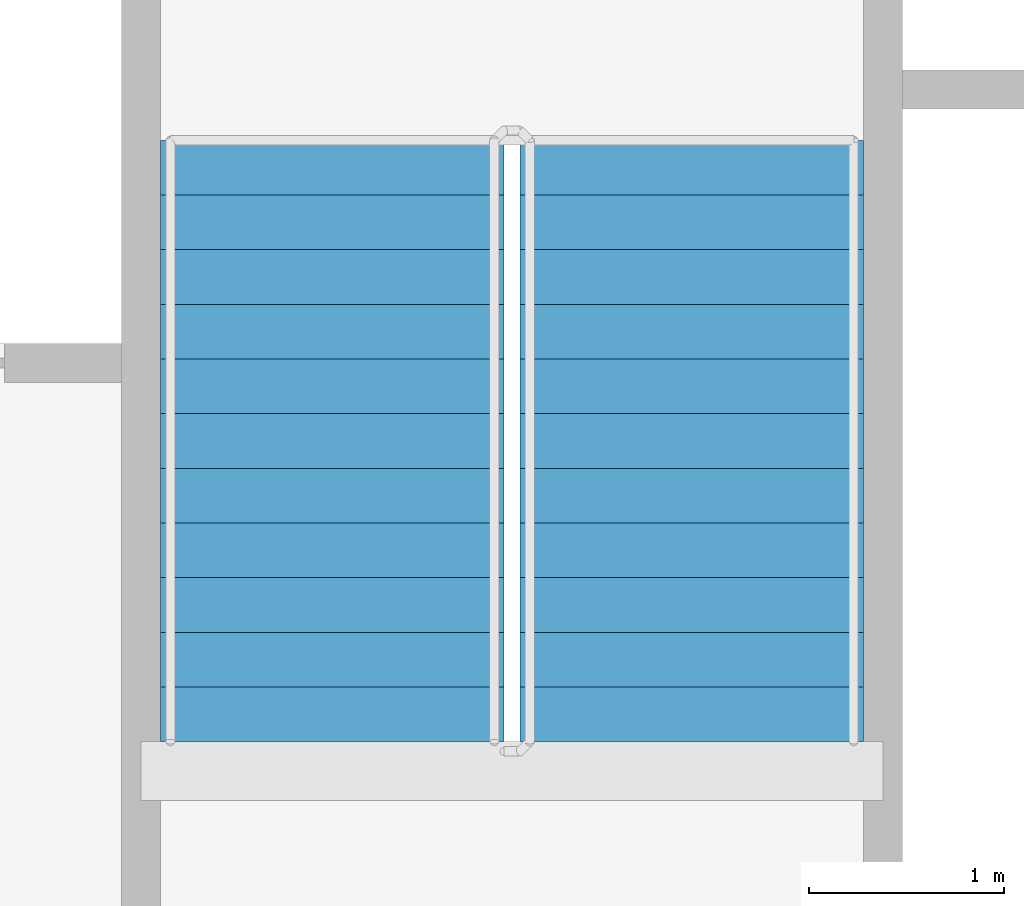
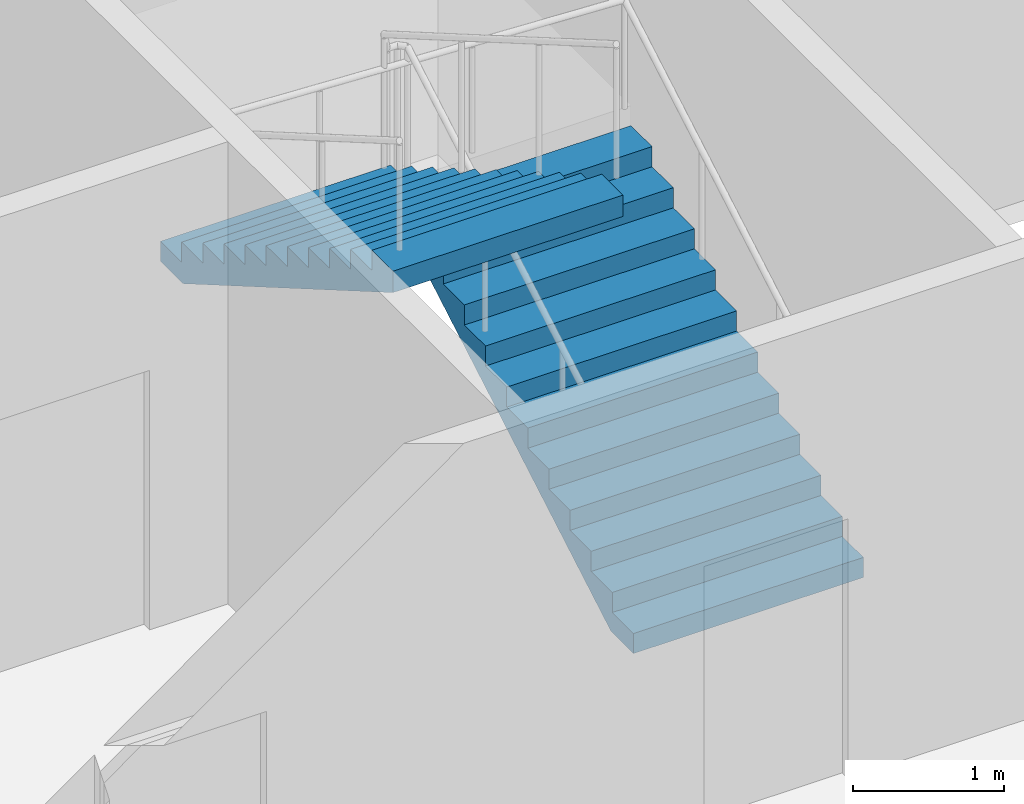
# One storey, part 10 of 15: 2 stair flights, 1 element without a shape of its own.
"""IFC4 building model written with IfcOpenShell, lengths in metres."""

from ifc_helpers import new_model, si_unit, direction, frame, origin, place, context, subcontext, project, spatial, faceted_brep, material, type_object, element, aggregate, save


model = new_model("IFC4")

# Units and contexts
model_context = context("Model", 3, precision=1e-05, world=origin(), true_north=direction((0.0, 1.0)))
body_context = subcontext(model_context, "Body", "Model", "MODEL_VIEW")
ifc_project = project(units=[si_unit("LENGTHUNIT", "METRE"), si_unit("AREAUNIT", "SQUARE_METRE"), si_unit("VOLUMEUNIT", "CUBIC_METRE"), si_unit("PLANEANGLEUNIT", "RADIAN"), si_unit("MASSUNIT", "GRAM", prefix="KILO")], contexts=[model_context])

# Site, building, storey
site_placement = place(None, origin())
site = spatial("IfcSite", under=ifc_project, at=site_placement, CompositionType="ELEMENT")
building_placement = place(site_placement, origin())
building = spatial("IfcBuilding", under=site, at=building_placement, Name="Tarsis Ring Headquarters", CompositionType="ELEMENT")
storey_placement = place(building_placement, frame((0.0, 0.0, 327.5)))
storey = spatial("IfcBuildingStorey", under=building, at=storey_placement, Name="L77", CompositionType="ELEMENT", Elevation=327.5)

# Stair, stair flights
ifc_material_1 = material(Name="Core stair 1760")
stair_type = type_object("IfcStairType", Name="Core stair 1760", PredefinedType="HALF_TURN_STAIR", material=ifc_material_1)
stair_placement = place(storey_placement, origin())
stair = element("IfcStair", 1, at=stair_placement, inside=storey, type_object=stair_type, Name="L77 Exit stair B", PredefinedType="HALF_TURN_STAIR")
ifc_material_2 = material(Name="Concrete C40/50", Category="concrete")
stair_flight_type = type_object("IfcStairFlightType", Name="Core stair flight 1760", PredefinedType="STRAIGHT", material=ifc_material_2)
stair_flight_1_placement = place(storey_placement, frame((5.419921875, 3.659912109375, 0.0), z_axis=(0.0, 0.0, 1.0), x_axis=(0.0, 1.0, 0.0)))
stair_flight_1 = element("IfcStairFlight", 2, at=stair_flight_1_placement, type_object=stair_flight_type, Name="Stair ST2 flight 1", NumberOfRisers=12, NumberOfTreads=11, PredefinedType="STRAIGHT", RiserHeight=0.1625, TreadLength=0.28, context=body_context, shape_type="Brep", body=[
    faceted_brep([(0.0, 0.8798828125, 0.0), (0.0, 0.8798828125, 0.16259765625), (0.280029296875, 0.8798828125, 0.16259765625), (0.280029296875, 0.8798828125, 0.324951171875), (0.56005859375, 0.8798828125, 0.324951171875), (0.56005859375, 0.8798828125, 0.487548828125), (0.840087890625, 0.8798828125, 0.487548828125), (0.840087890625, 0.8798828125, 0.64990234375), (1.1201171875, 0.8798828125, 0.64990234375), (1.1201171875, 0.8798828125, 0.8125), (1.39990234375, 0.8798828125, 0.8125), (1.39990234375, 0.8798828125, 0.97509765625), (1.679931640625, 0.8798828125, 0.97509765625), (1.679931640625, 0.8798828125, 1.137451171875), (1.9599609375, 0.8798828125, 1.137451171875), (1.9599609375, 0.8798828125, 1.300048828125), (2.239990234375, 0.8798828125, 1.300048828125), (2.239990234375, 0.8798828125, 1.46240234375), (2.52001953125, 0.8798828125, 1.46240234375), (2.52001953125, 0.8798828125, 1.625), (2.800048828125, 0.8798828125, 1.625), (2.800048828125, 0.8798828125, 1.78759765625), (3.080078125, 0.8798828125, 1.78759765625), (3.080078125, 0.8798828125, 1.6142578125), (0.298583984375, 0.8798828125, 0.0), (0.298583984375, -0.8798828125, 0.0), (3.080078125, -0.8798828125, 1.6142578125), (3.080078125, -0.8798828125, 1.78759765625), (2.800048828125, -0.8798828125, 1.78759765625), (2.800048828125, -0.8798828125, 1.625), (2.52001953125, -0.8798828125, 1.625), (2.52001953125, -0.8798828125, 1.46240234375), (2.239990234375, -0.8798828125, 1.46240234375), (2.239990234375, -0.8798828125, 1.300048828125), (1.9599609375, -0.8798828125, 1.300048828125), (1.9599609375, -0.8798828125, 1.137451171875), (1.679931640625, -0.8798828125, 1.137451171875), (1.679931640625, -0.8798828125, 0.97509765625), (1.39990234375, -0.8798828125, 0.97509765625), (1.39990234375, -0.8798828125, 0.8125), (1.1201171875, -0.8798828125, 0.8125), (1.1201171875, -0.8798828125, 0.64990234375), (0.840087890625, -0.8798828125, 0.64990234375), (0.840087890625, -0.8798828125, 0.487548828125), (0.56005859375, -0.8798828125, 0.487548828125), (0.56005859375, -0.8798828125, 0.324951171875), (0.280029296875, -0.8798828125, 0.324951171875), (0.280029296875, -0.8798828125, 0.16259765625), (0.0, -0.8798828125, 0.16259765625), (0.0, -0.8798828125, 0.0), (0.0, -0.43994140625, 0.16259765625), (0.0, -0.43994140625, 0.0), (0.0, 0.0, 0.16259765625), (0.0, 0.0, 0.0), (0.0, 0.43994140625, 0.16259765625), (0.0, 0.43994140625, 0.0), (0.280029296875, -0.43994140625, 0.16259765625), (0.280029296875, 0.0, 0.16259765625), (0.280029296875, 0.43994140625, 0.16259765625), (0.280029296875, -0.43994140625, 0.324951171875), (0.280029296875, 0.0, 0.324951171875), (0.280029296875, 0.43994140625, 0.324951171875), (0.56005859375, -0.43994140625, 0.324951171875), (0.56005859375, 0.0, 0.324951171875), (0.56005859375, 0.43994140625, 0.324951171875), (0.56005859375, -0.43994140625, 0.487548828125), (0.56005859375, 0.0, 0.487548828125), (0.56005859375, 0.43994140625, 0.487548828125), (0.840087890625, -0.43994140625, 0.487548828125), (0.840087890625, 0.0, 0.487548828125), (0.840087890625, 0.43994140625, 0.487548828125), (0.840087890625, -0.43994140625, 0.64990234375), (0.840087890625, 0.0, 0.64990234375), (0.840087890625, 0.43994140625, 0.64990234375), (1.1201171875, -0.43994140625, 0.64990234375), (1.1201171875, 0.0, 0.64990234375), (1.1201171875, 0.43994140625, 0.64990234375), (1.1201171875, -0.43994140625, 0.8125), (1.1201171875, 0.0, 0.8125), (1.1201171875, 0.43994140625, 0.8125), (1.39990234375, -0.43994140625, 0.8125), (1.39990234375, 0.0, 0.8125), (1.39990234375, 0.43994140625, 0.8125), (1.39990234375, -0.43994140625, 0.97509765625), (1.39990234375, 0.0, 0.97509765625), (1.39990234375, 0.43994140625, 0.97509765625), (1.679931640625, -0.43994140625, 0.97509765625), (1.679931640625, 0.0, 0.97509765625), (1.679931640625, 0.43994140625, 0.97509765625), (1.679931640625, -0.43994140625, 1.137451171875), (1.679931640625, 0.0, 1.137451171875), (1.679931640625, 0.43994140625, 1.137451171875), (1.9599609375, -0.43994140625, 1.137451171875), (1.9599609375, 0.0, 1.137451171875), (1.9599609375, 0.43994140625, 1.137451171875), (1.9599609375, -0.43994140625, 1.300048828125), (1.9599609375, 0.0, 1.300048828125), (1.9599609375, 0.43994140625, 1.300048828125), (2.239990234375, -0.43994140625, 1.300048828125), (2.239990234375, 0.0, 1.300048828125), (2.239990234375, 0.43994140625, 1.300048828125), (2.239990234375, -0.43994140625, 1.46240234375), (2.239990234375, 0.0, 1.46240234375), (2.239990234375, 0.43994140625, 1.46240234375), (2.52001953125, -0.43994140625, 1.46240234375), (2.52001953125, 0.0, 1.46240234375), (2.52001953125, 0.43994140625, 1.46240234375), (2.52001953125, -0.43994140625, 1.625), (2.52001953125, 0.0, 1.625), (2.52001953125, 0.43994140625, 1.625), (2.800048828125, -0.43994140625, 1.625), (2.800048828125, 0.0, 1.625), (2.800048828125, 0.43994140625, 1.625), (2.800048828125, -0.43994140625, 1.78759765625), (2.800048828125, 0.0, 1.78759765625), (2.800048828125, 0.43994140625, 1.78759765625), (3.080078125, -0.43994140625, 1.78759765625), (3.080078125, 0.0, 1.78759765625), (3.080078125, 0.43994140625, 1.78759765625), (3.080078125, -0.43994140625, 1.6142578125), (3.080078125, 0.0, 1.6142578125), (3.080078125, 0.43994140625, 1.6142578125), (0.298583984375, -0.43994140625, 0.0), (0.298583984375, 0.0, 0.0), (0.298583984375, 0.43994140625, 0.0)], [[[0, 1, 2, 3, 4, 5, 6, 7, 8, 9, 10, 11, 12, 13, 14, 15, 16, 17, 18, 19, 20, 21, 22, 23, 24]], [[25, 26, 27, 28, 29, 30, 31, 32, 33, 34, 35, 36, 37, 38, 39, 40, 41, 42, 43, 44, 45, 46, 47, 48, 49]], [[49, 48, 50, 51]], [[51, 50, 52, 53]], [[53, 52, 54, 55]], [[55, 54, 1, 0]], [[48, 47, 56, 50]], [[50, 56, 57, 52]], [[52, 57, 58, 54]], [[54, 58, 2, 1]], [[47, 46, 59, 56]], [[56, 59, 60, 57]], [[57, 60, 61, 58]], [[58, 61, 3, 2]], [[46, 45, 62, 59]], [[59, 62, 63, 60]], [[60, 63, 64, 61]], [[61, 64, 4, 3]], [[45, 44, 65, 62]], [[62, 65, 66, 63]], [[63, 66, 67, 64]], [[64, 67, 5, 4]], [[44, 43, 68, 65]], [[65, 68, 69, 66]], [[66, 69, 70, 67]], [[67, 70, 6, 5]], [[43, 42, 71, 68]], [[68, 71, 72, 69]], [[69, 72, 73, 70]], [[70, 73, 7, 6]], [[42, 41, 74, 71]], [[71, 74, 75, 72]], [[72, 75, 76, 73]], [[73, 76, 8, 7]], [[41, 40, 77, 74]], [[74, 77, 78, 75]], [[75, 78, 79, 76]], [[76, 79, 9, 8]], [[40, 39, 80, 77]], [[77, 80, 81, 78]], [[78, 81, 82, 79]], [[79, 82, 10, 9]], [[39, 38, 83, 80]], [[80, 83, 84, 81]], [[81, 84, 85, 82]], [[82, 85, 11, 10]], [[38, 37, 86, 83]], [[83, 86, 87, 84]], [[84, 87, 88, 85]], [[85, 88, 12, 11]], [[37, 36, 89, 86]], [[86, 89, 90, 87]], [[87, 90, 91, 88]], [[88, 91, 13, 12]], [[36, 35, 92, 89]], [[89, 92, 93, 90]], [[90, 93, 94, 91]], [[91, 94, 14, 13]], [[35, 34, 95, 92]], [[92, 95, 96, 93]], [[93, 96, 97, 94]], [[94, 97, 15, 14]], [[34, 33, 98, 95]], [[95, 98, 99, 96]], [[96, 99, 100, 97]], [[97, 100, 16, 15]], [[33, 32, 101, 98]], [[98, 101, 102, 99]], [[99, 102, 103, 100]], [[100, 103, 17, 16]], [[32, 31, 104, 101]], [[101, 104, 105, 102]], [[102, 105, 106, 103]], [[103, 106, 18, 17]], [[31, 30, 107, 104]], [[104, 107, 108, 105]], [[105, 108, 109, 106]], [[106, 109, 19, 18]], [[30, 29, 110, 107]], [[107, 110, 111, 108]], [[108, 111, 112, 109]], [[109, 112, 20, 19]], [[29, 28, 113, 110]], [[110, 113, 114, 111]], [[111, 114, 115, 112]], [[112, 115, 21, 20]], [[28, 27, 116, 113]], [[113, 116, 117, 114]], [[114, 117, 118, 115]], [[115, 118, 22, 21]], [[27, 26, 119, 116]], [[116, 119, 120, 117]], [[117, 120, 121, 118]], [[118, 121, 23, 22]], [[26, 25, 122, 119]], [[119, 122, 123, 120]], [[120, 123, 124, 121]], [[121, 124, 24, 23]], [[25, 49, 51, 122]], [[122, 51, 53, 123]], [[123, 53, 55, 124]], [[124, 55, 0, 24]]]),
])
stair_flight_2_placement = place(storey_placement, frame((3.580078125, 6.739990234375, 1.949951171875), z_axis=(0.0, 0.0, 1.0), x_axis=(0.0, -1.0, 0.0)))
stair_flight_2 = element("IfcStairFlight", 3, at=stair_flight_2_placement, type_object=stair_flight_type, Name="Stair ST2 flight 2", NumberOfRisers=12, NumberOfTreads=11, PredefinedType="STRAIGHT", RiserHeight=0.1625, TreadLength=0.28, context=body_context, shape_type="Brep", body=[
    faceted_brep([(0.0, 0.8798828125, 0.0), (0.0, 0.8798828125, 0.16259765625), (0.280029296875, 0.8798828125, 0.16259765625), (0.280029296875, 0.8798828125, 0.324951171875), (0.56005859375, 0.8798828125, 0.324951171875), (0.56005859375, 0.8798828125, 0.487548828125), (0.840087890625, 0.8798828125, 0.487548828125), (0.840087890625, 0.8798828125, 0.64990234375), (1.1201171875, 0.8798828125, 0.64990234375), (1.1201171875, 0.8798828125, 0.8125), (1.39990234375, 0.8798828125, 0.8125), (1.39990234375, 0.8798828125, 0.97509765625), (1.679931640625, 0.8798828125, 0.97509765625), (1.679931640625, 0.8798828125, 1.137451171875), (1.9599609375, 0.8798828125, 1.137451171875), (1.9599609375, 0.8798828125, 1.300048828125), (2.239990234375, 0.8798828125, 1.300048828125), (2.239990234375, 0.8798828125, 1.46240234375), (2.52001953125, 0.8798828125, 1.46240234375), (2.52001953125, 0.8798828125, 1.625), (2.800048828125, 0.8798828125, 1.625), (2.800048828125, 0.8798828125, 1.78759765625), (3.080078125, 0.8798828125, 1.78759765625), (3.080078125, 0.8798828125, 1.6142578125), (0.298583984375, 0.8798828125, 0.0), (0.298583984375, -0.8798828125, 0.0), (3.080078125, -0.8798828125, 1.6142578125), (3.080078125, -0.8798828125, 1.78759765625), (2.800048828125, -0.8798828125, 1.78759765625), (2.800048828125, -0.8798828125, 1.625), (2.52001953125, -0.8798828125, 1.625), (2.52001953125, -0.8798828125, 1.46240234375), (2.239990234375, -0.8798828125, 1.46240234375), (2.239990234375, -0.8798828125, 1.300048828125), (1.9599609375, -0.8798828125, 1.300048828125), (1.9599609375, -0.8798828125, 1.137451171875), (1.679931640625, -0.8798828125, 1.137451171875), (1.679931640625, -0.8798828125, 0.97509765625), (1.39990234375, -0.8798828125, 0.97509765625), (1.39990234375, -0.8798828125, 0.8125), (1.1201171875, -0.8798828125, 0.8125), (1.1201171875, -0.8798828125, 0.64990234375), (0.840087890625, -0.8798828125, 0.64990234375), (0.840087890625, -0.8798828125, 0.487548828125), (0.56005859375, -0.8798828125, 0.487548828125), (0.56005859375, -0.8798828125, 0.324951171875), (0.280029296875, -0.8798828125, 0.324951171875), (0.280029296875, -0.8798828125, 0.16259765625), (0.0, -0.8798828125, 0.16259765625), (0.0, -0.8798828125, 0.0), (0.0, -0.43994140625, 0.16259765625), (0.0, -0.43994140625, 0.0), (0.0, 0.0, 0.16259765625), (0.0, 0.0, 0.0), (0.0, 0.43994140625, 0.16259765625), (0.0, 0.43994140625, 0.0), (0.280029296875, -0.43994140625, 0.16259765625), (0.280029296875, 0.0, 0.16259765625), (0.280029296875, 0.43994140625, 0.16259765625), (0.280029296875, -0.43994140625, 0.324951171875), (0.280029296875, 0.0, 0.324951171875), (0.280029296875, 0.43994140625, 0.324951171875), (0.56005859375, -0.43994140625, 0.324951171875), (0.56005859375, 0.0, 0.324951171875), (0.56005859375, 0.43994140625, 0.324951171875), (0.56005859375, -0.43994140625, 0.487548828125), (0.56005859375, 0.0, 0.487548828125), (0.56005859375, 0.43994140625, 0.487548828125), (0.840087890625, -0.43994140625, 0.487548828125), (0.840087890625, 0.0, 0.487548828125), (0.840087890625, 0.43994140625, 0.487548828125), (0.840087890625, -0.43994140625, 0.64990234375), (0.840087890625, 0.0, 0.64990234375), (0.840087890625, 0.43994140625, 0.64990234375), (1.1201171875, -0.43994140625, 0.64990234375), (1.1201171875, 0.0, 0.64990234375), (1.1201171875, 0.43994140625, 0.64990234375), (1.1201171875, -0.43994140625, 0.8125), (1.1201171875, 0.0, 0.8125), (1.1201171875, 0.43994140625, 0.8125), (1.39990234375, -0.43994140625, 0.8125), (1.39990234375, 0.0, 0.8125), (1.39990234375, 0.43994140625, 0.8125), (1.39990234375, -0.43994140625, 0.97509765625), (1.39990234375, 0.0, 0.97509765625), (1.39990234375, 0.43994140625, 0.97509765625), (1.679931640625, -0.43994140625, 0.97509765625), (1.679931640625, 0.0, 0.97509765625), (1.679931640625, 0.43994140625, 0.97509765625), (1.679931640625, -0.43994140625, 1.137451171875), (1.679931640625, 0.0, 1.137451171875), (1.679931640625, 0.43994140625, 1.137451171875), (1.9599609375, -0.43994140625, 1.137451171875), (1.9599609375, 0.0, 1.137451171875), (1.9599609375, 0.43994140625, 1.137451171875), (1.9599609375, -0.43994140625, 1.300048828125), (1.9599609375, 0.0, 1.300048828125), (1.9599609375, 0.43994140625, 1.300048828125), (2.239990234375, -0.43994140625, 1.300048828125), (2.239990234375, 0.0, 1.300048828125), (2.239990234375, 0.43994140625, 1.300048828125), (2.239990234375, -0.43994140625, 1.46240234375), (2.239990234375, 0.0, 1.46240234375), (2.239990234375, 0.43994140625, 1.46240234375), (2.52001953125, -0.43994140625, 1.46240234375), (2.52001953125, 0.0, 1.46240234375), (2.52001953125, 0.43994140625, 1.46240234375), (2.52001953125, -0.43994140625, 1.625), (2.52001953125, 0.0, 1.625), (2.52001953125, 0.43994140625, 1.625), (2.800048828125, -0.43994140625, 1.625), (2.800048828125, 0.0, 1.625), (2.800048828125, 0.43994140625, 1.625), (2.800048828125, -0.43994140625, 1.78759765625), (2.800048828125, 0.0, 1.78759765625), (2.800048828125, 0.43994140625, 1.78759765625), (3.080078125, -0.43994140625, 1.78759765625), (3.080078125, 0.0, 1.78759765625), (3.080078125, 0.43994140625, 1.78759765625), (3.080078125, -0.43994140625, 1.6142578125), (3.080078125, 0.0, 1.6142578125), (3.080078125, 0.43994140625, 1.6142578125), (0.298583984375, -0.43994140625, 0.0), (0.298583984375, 0.0, 0.0), (0.298583984375, 0.43994140625, 0.0)], [[[0, 1, 2, 3, 4, 5, 6, 7, 8, 9, 10, 11, 12, 13, 14, 15, 16, 17, 18, 19, 20, 21, 22, 23, 24]], [[25, 26, 27, 28, 29, 30, 31, 32, 33, 34, 35, 36, 37, 38, 39, 40, 41, 42, 43, 44, 45, 46, 47, 48, 49]], [[49, 48, 50, 51]], [[51, 50, 52, 53]], [[53, 52, 54, 55]], [[55, 54, 1, 0]], [[48, 47, 56, 50]], [[50, 56, 57, 52]], [[52, 57, 58, 54]], [[54, 58, 2, 1]], [[47, 46, 59, 56]], [[56, 59, 60, 57]], [[57, 60, 61, 58]], [[58, 61, 3, 2]], [[46, 45, 62, 59]], [[59, 62, 63, 60]], [[60, 63, 64, 61]], [[61, 64, 4, 3]], [[45, 44, 65, 62]], [[62, 65, 66, 63]], [[63, 66, 67, 64]], [[64, 67, 5, 4]], [[44, 43, 68, 65]], [[65, 68, 69, 66]], [[66, 69, 70, 67]], [[67, 70, 6, 5]], [[43, 42, 71, 68]], [[68, 71, 72, 69]], [[69, 72, 73, 70]], [[70, 73, 7, 6]], [[42, 41, 74, 71]], [[71, 74, 75, 72]], [[72, 75, 76, 73]], [[73, 76, 8, 7]], [[41, 40, 77, 74]], [[74, 77, 78, 75]], [[75, 78, 79, 76]], [[76, 79, 9, 8]], [[40, 39, 80, 77]], [[77, 80, 81, 78]], [[78, 81, 82, 79]], [[79, 82, 10, 9]], [[39, 38, 83, 80]], [[80, 83, 84, 81]], [[81, 84, 85, 82]], [[82, 85, 11, 10]], [[38, 37, 86, 83]], [[83, 86, 87, 84]], [[84, 87, 88, 85]], [[85, 88, 12, 11]], [[37, 36, 89, 86]], [[86, 89, 90, 87]], [[87, 90, 91, 88]], [[88, 91, 13, 12]], [[36, 35, 92, 89]], [[89, 92, 93, 90]], [[90, 93, 94, 91]], [[91, 94, 14, 13]], [[35, 34, 95, 92]], [[92, 95, 96, 93]], [[93, 96, 97, 94]], [[94, 97, 15, 14]], [[34, 33, 98, 95]], [[95, 98, 99, 96]], [[96, 99, 100, 97]], [[97, 100, 16, 15]], [[33, 32, 101, 98]], [[98, 101, 102, 99]], [[99, 102, 103, 100]], [[100, 103, 17, 16]], [[32, 31, 104, 101]], [[101, 104, 105, 102]], [[102, 105, 106, 103]], [[103, 106, 18, 17]], [[31, 30, 107, 104]], [[104, 107, 108, 105]], [[105, 108, 109, 106]], [[106, 109, 19, 18]], [[30, 29, 110, 107]], [[107, 110, 111, 108]], [[108, 111, 112, 109]], [[109, 112, 20, 19]], [[29, 28, 113, 110]], [[110, 113, 114, 111]], [[111, 114, 115, 112]], [[112, 115, 21, 20]], [[28, 27, 116, 113]], [[113, 116, 117, 114]], [[114, 117, 118, 115]], [[115, 118, 22, 21]], [[27, 26, 119, 116]], [[116, 119, 120, 117]], [[117, 120, 121, 118]], [[118, 121, 23, 22]], [[26, 25, 122, 119]], [[119, 122, 123, 120]], [[120, 123, 124, 121]], [[121, 124, 24, 23]], [[25, 49, 51, 122]], [[122, 51, 53, 123]], [[123, 53, 55, 124]], [[124, 55, 0, 24]]]),
])
aggregate(stair, [stair_flight_1, stair_flight_2])

save(model, "model.ifc")
